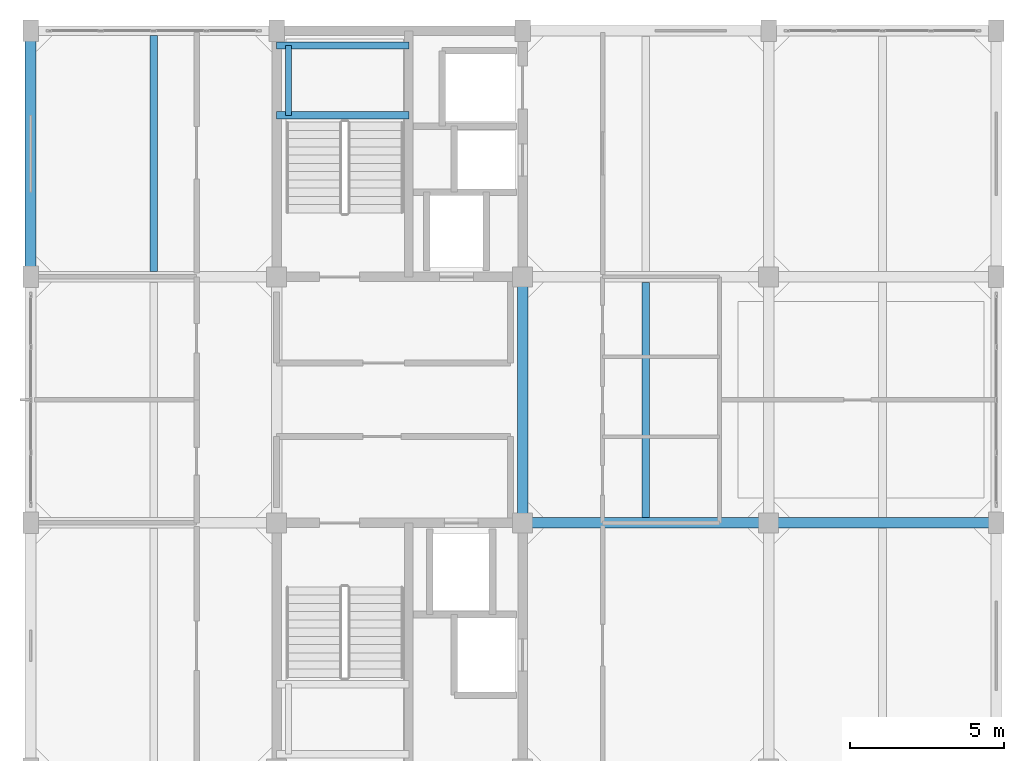
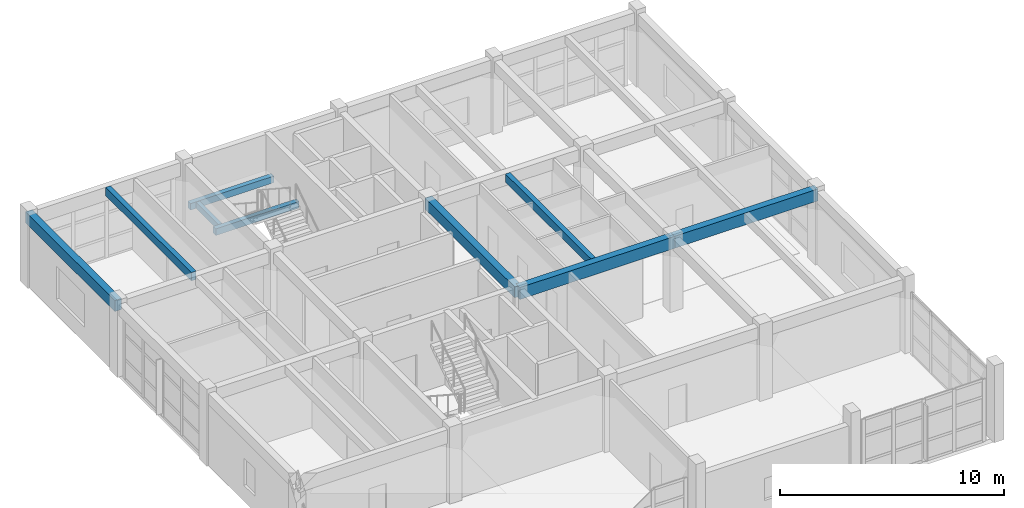
# One storey, part 8 of 18: 9 beams.
"""IFC4 building model written with IfcOpenShell, lengths in metres."""

from ifc_helpers import new_model, si_unit, direction, frame, origin, origin_2d, place, context, subcontext, project, spatial, rectangle, extrude, material, material_profile, profile_set, type_object, element, save


model = new_model("IFC4")

# Units and contexts
model_context = context("Model", 3, precision=1e-05, world=origin(), true_north=direction((0.0, 1.0)))
body_context = subcontext(model_context, "Body", "Model", "MODEL_VIEW")
ifc_project = project(units=[si_unit("LENGTHUNIT", "METRE"), si_unit("AREAUNIT", "SQUARE_METRE"), si_unit("VOLUMEUNIT", "CUBIC_METRE"), si_unit("PLANEANGLEUNIT", "RADIAN"), si_unit("MASSUNIT", "GRAM", prefix="KILO")], contexts=[model_context])

# Site, building, storey
site_placement = place(None, origin())
site = spatial("IfcSite", under=ifc_project, at=site_placement, CompositionType="ELEMENT")
building_placement = place(site_placement, origin())
building = spatial("IfcBuilding", under=site, at=building_placement, Name="Canggui Botanical Conservatory", CompositionType="ELEMENT")
storey_placement = place(building_placement, frame((0.0, 0.0, 52.800048828125)))
storey = spatial("IfcBuildingStorey", under=building, at=storey_placement, Name="L13", CompositionType="ELEMENT", Elevation=52.800048828125)

# Beams
ifc_material = material(Name="Concrete C35", Category="concrete")
ifc_material_profile_1 = material_profile(ifc_material, rectangle(XDim=0.25, YDim=0.449951171875, at=origin_2d()), Name="RB 250x450")
ifc_profile_set_1 = profile_set([ifc_material_profile_1], Name="Concrete C35")
beam_type_1 = type_object("IfcBeamType", Name="BM-JST05", PredefinedType="JOIST", material=ifc_profile_set_1)
beam_1_placement = place(storey_placement, frame((150.0, 58.179931640625, 3.73486328125), z_axis=(0.0, 1.0, 0.0), x_axis=(-1.0, 0.0, 0.0)))
element("IfcBeam", 1, at=beam_1_placement, inside=storey, type_object=beam_type_1, Name="Secondary Floor Joist L13-1-3", PredefinedType="JOIST", context=body_context, shape_type="SweptSolid", body=[
    extrude(rectangle(XDim=0.25, YDim=0.449951171875, at=origin_2d()), origin(), (0.0, 0.0, 1.0), 7.6650390625),
])
beam_2_placement = place(storey_placement, frame((166.0, 50.179931640625, 3.73486328125), z_axis=(0.0, 1.0, 0.0), x_axis=(-1.0, 0.0, 0.0)))
element("IfcBeam", 2, at=beam_2_placement, inside=storey, type_object=beam_type_1, Name="Secondary Floor Joist L13-3-2", PredefinedType="JOIST", context=body_context, shape_type="SweptSolid", body=[
    extrude(rectangle(XDim=0.25, YDim=0.449951171875, at=origin_2d()), origin(), (0.0, 0.0, 1.0), 7.64013671875),
])
ifc_material_profile_2 = material_profile(ifc_material, rectangle(XDim=0.35009765625, YDim=0.64990234375, at=origin_2d()), Name="RB 350x650")
ifc_profile_set_2 = profile_set([ifc_material_profile_2], Name="Concrete C35")
beam_type_2 = type_object("IfcBeamType", Name="BM-KL18", PredefinedType="BEAM", material=ifc_profile_set_2)
beam_3_placement = place(storey_placement, frame((162.0, 50.0, 3.635009765625), z_axis=(1.0, 0.0, 0.0), x_axis=(0.0, 1.0, 0.0)))
element("IfcBeam", 3, at=beam_3_placement, inside=storey, type_object=beam_type_2, Name="Frame Girder L13 Y50-3", PredefinedType="BEAM", context=body_context, shape_type="SweptSolid", body=[
    extrude(rectangle(XDim=0.35009765625, YDim=0.64990234375, at=origin_2d()), origin(), (0.0, 0.0, 1.0), 8.0),
])
beam_4_placement = place(storey_placement, frame((170.0, 50.0, 3.635009765625), z_axis=(1.0, 0.0, 0.0), x_axis=(0.0, 1.0, 0.0)))
element("IfcBeam", 4, at=beam_4_placement, inside=storey, type_object=beam_type_2, Name="Frame Girder L13 Y50-4", PredefinedType="BEAM", context=body_context, shape_type="SweptSolid", body=[
    extrude(rectangle(XDim=0.35009765625, YDim=0.64990234375, at=origin_2d()), origin(), (0.0, 0.0, 1.0), 7.39990234375),
])
ifc_material_profile_3 = material_profile(ifc_material, rectangle(XDim=0.35009765625, YDim=0.60009765625, at=origin_2d()), Name="RB 350x600")
ifc_profile_set_3 = profile_set([ifc_material_profile_3], Name="Concrete C35")
beam_type_3 = type_object("IfcBeamType", Name="BM-KL19", PredefinedType="BEAM", material=ifc_profile_set_3)
for number, where, z_axis, x_axis, name in (
    (5, (146.0, 58.0, 3.659912109375), (0.0, 1.0, 0.0), (-1.0, 0.0, 0.0), "Frame Girder L13 X146-3"),
    (6, (162.0, 50.0, 3.659912109375), (0.0, 1.0, 0.0), (-1.0, 0.0, 0.0), "Frame Girder L13 X162-2"),
):
    element("IfcBeam", number, at=place(storey_placement, frame(where, z_axis=z_axis, x_axis=x_axis)), inside=storey, type_object=beam_type_3, Name=name, PredefinedType="BEAM", context=body_context, shape_type="SweptSolid", body=[
        extrude(rectangle(XDim=0.35009765625, YDim=0.60009765625, at=origin_2d()), origin(), (0.0, 0.0, 1.0), 8.0),
    ])
ifc_material_profile_4 = material_profile(ifc_material, rectangle(XDim=0.239990234375, YDim=0.360107421875, at=origin_2d()), Name="RB 240x360")
ifc_profile_set_4 = profile_set([ifc_material_profile_4], Name="Concrete C35")
beam_type_4 = type_object("IfcBeamType", Name="BM-LIN01", PredefinedType="LINTEL", material=ifc_profile_set_4)
for number, where, z_axis, x_axis, name in (
    (7, (154.0, 63.24755859375, 1.719970703125), (1.0, 0.0, 0.0), (0.0, 1.0, 0.0), "ST-T2 Half-Landing Ledger Beam L13-1.1"),
    (8, (154.0, 65.52001953125, 1.719970703125), (1.0, 0.0, 0.0), (0.0, 1.0, 0.0), "ST-T2 Half-Landing Ledger Beam L13-1.2"),
):
    element("IfcBeam", number, at=place(storey_placement, frame(where, z_axis=z_axis, x_axis=x_axis)), inside=storey, type_object=beam_type_4, Name=name, PredefinedType="LINTEL", context=body_context, shape_type="SweptSolid", body=[
        extrude(rectangle(XDim=0.239990234375, YDim=0.360107421875, at=origin_2d()), origin(), (0.0, 0.0, 1.0), 4.300048828125),
    ])
ifc_material_profile_5 = material_profile(ifc_material, rectangle(XDim=0.199951171875, YDim=0.320068359375, at=origin_2d()), Name="RB 200x320")
ifc_profile_set_5 = profile_set([ifc_material_profile_5], Name="Concrete C35")
beam_type_5 = type_object("IfcBeamType", Name="BM-LIN02", PredefinedType="LINTEL", material=ifc_profile_set_5)
beam_5_placement = place(storey_placement, frame((154.3798828125, 63.24755859375, 1.719970703125), z_axis=(0.0, 1.0, 0.0), x_axis=(-1.0, 0.0, 0.0)))
element("IfcBeam", 9, at=beam_5_placement, inside=storey, type_object=beam_type_5, Name="ST-T2 Half-Landing Edge Ledger L13-1.3", PredefinedType="LINTEL", context=body_context, shape_type="SweptSolid", body=[
    extrude(rectangle(XDim=0.199951171875, YDim=0.320068359375, at=origin_2d()), origin(), (0.0, 0.0, 1.0), 2.2724609375),
])

save(model, "model.ifc")
